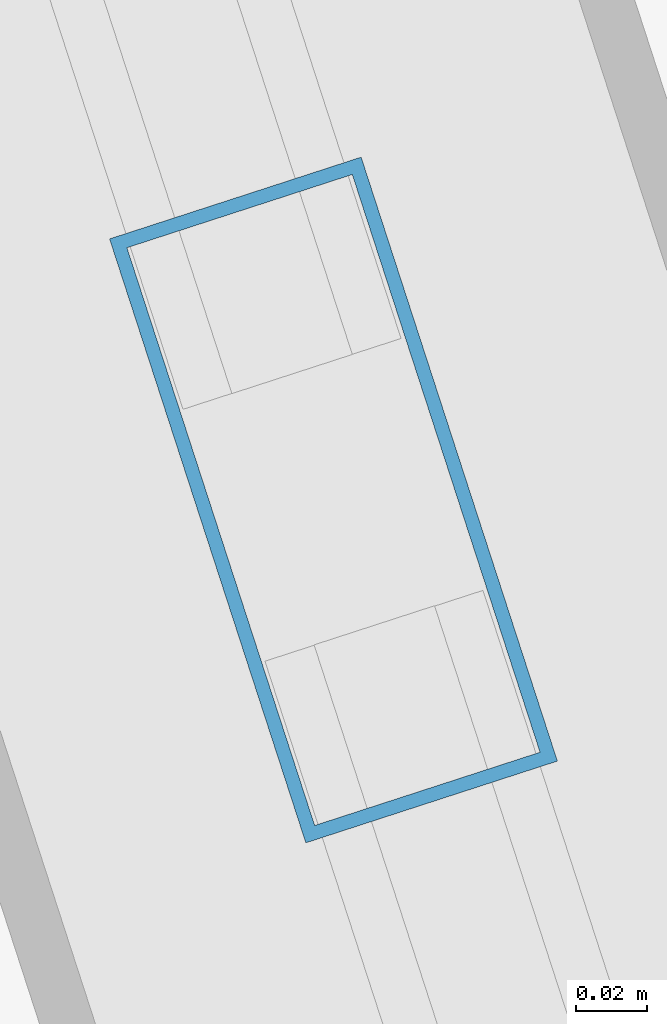
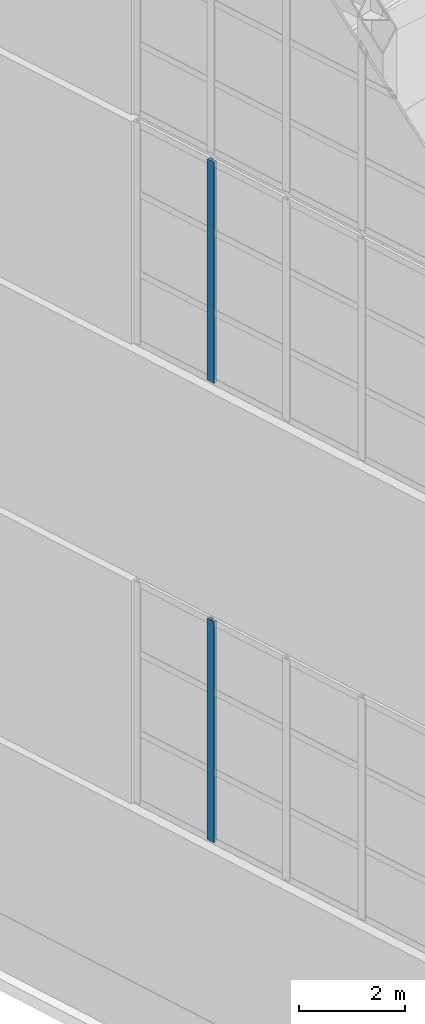
# One storey, part 8 of 56: 2 members, 2 elements without a shape of their own.
"""IFC4 building model written with IfcOpenShell, lengths in metres."""

from ifc_helpers import new_model, si_unit, direction, frame, origin, origin_2d, place, context, subcontext, project, spatial, hollow_rectangle, extrude, material, layer, layer_set, material_profile, profile_set, type_object, element, aggregate, save


model = new_model("IFC4")

# Units and contexts
model_context = context("Model", 3, precision=1e-05, world=origin(), true_north=direction((0.0, 1.0)))
body_context = subcontext(model_context, "Body", "Model", "MODEL_VIEW")
ifc_project = project(units=[si_unit("LENGTHUNIT", "METRE"), si_unit("AREAUNIT", "SQUARE_METRE"), si_unit("VOLUMEUNIT", "CUBIC_METRE"), si_unit("PLANEANGLEUNIT", "RADIAN"), si_unit("MASSUNIT", "GRAM", prefix="KILO")], contexts=[model_context])

# Site, building, storey
site_placement = place(None, origin())
site = spatial("IfcSite", under=ifc_project, at=site_placement, CompositionType="ELEMENT")
building_placement = place(site_placement, origin())
building = spatial("IfcBuilding", under=site, at=building_placement, Name="Qiaolan Cultural Towers", CompositionType="ELEMENT")
storey_placement = place(building_placement, frame((0.0, 0.0, 250.39990234375)))
storey = spatial("IfcBuildingStorey", under=building, at=storey_placement, Name="L68", CompositionType="ELEMENT", Elevation=250.39990234375)

# Curtain wall, member
ifc_material_1 = material(Name="Unitized Anodized Aluminium Curtain Wall System", Category="aluminium")
ifc_layer = layer(ifc_material_1, 0.199951171875)
ifc_layer_set = layer_set([ifc_layer], Name="Unitized Anodized Aluminium Curtain Wall System")
curtain_wall_type = type_object("IfcCurtainWallType", Name="CWS-06", PredefinedType="NOTDEFINED", material=ifc_layer_set)
curtain_wall_1_placement = place(storey_placement, origin())
curtain_wall_1 = element("IfcCurtainWall", 1, at=curtain_wall_1_placement, inside=storey, type_object=curtain_wall_type, Name="T2 Crown Tier 2 Fritted Screen Curtain Wall 7", PredefinedType="NOTDEFINED")
ifc_material_2 = material(Name="Extruded Aluminium 6063-T6", Category="aluminium")
ifc_material_profile = material_profile(ifc_material_2, hollow_rectangle(XDim=0.074951171875, YDim=0.179931640625, WallThickness=0.00390625, at=origin_2d()), Name="CWM-180x75x4")
ifc_profile_set = profile_set([ifc_material_profile], Name="Extruded Aluminium 6063-T6")
member_type = type_object("IfcMemberType", Name="CWS-06-MUL", PredefinedType="MULLION", material=ifc_profile_set)
member_1_placement = place(storey_placement, frame((75.641357421875, 33.3720703125, 5.400146484375), z_axis=(0.0, 0.0, 1.0), x_axis=(0.951056535512, 0.309016935232, 0.0)))
member_1 = element("IfcMember", 2, at=member_1_placement, type_object=member_type, Name="CW-6 mullion 2", PredefinedType="MULLION", context=body_context, shape_type="SweptSolid", body=[
    extrude(hollow_rectangle(XDim=0.074951171875, YDim=0.179931640625, WallThickness=0.00390625, at=origin_2d()), origin(), (0.0, 0.0, 1.0), 5.099853515625),
])
aggregate(curtain_wall_1, [member_1])

curtain_wall_2_placement = place(storey_placement, origin())
curtain_wall_2 = element("IfcCurtainWall", 3, at=curtain_wall_2_placement, inside=storey, type_object=curtain_wall_type, Name="T2 Crown Tier 4 Fritted Screen Curtain Wall 7", PredefinedType="NOTDEFINED")
member_2_placement = place(storey_placement, frame((75.641357421875, 33.3720703125, 16.0), z_axis=(0.0, 0.0, 1.0), x_axis=(0.951056535512, 0.309016935232, 0.0)))
member_2 = element("IfcMember", 4, at=member_2_placement, type_object=member_type, Name="CW-6 mullion 2", PredefinedType="MULLION", context=body_context, shape_type="SweptSolid", body=[
    extrude(hollow_rectangle(XDim=0.074951171875, YDim=0.179931640625, WallThickness=0.00390625, at=origin_2d()), origin(), (0.0, 0.0, 1.0), 5.10009765625),
])
aggregate(curtain_wall_2, [member_2])

save(model, "model.ifc")
